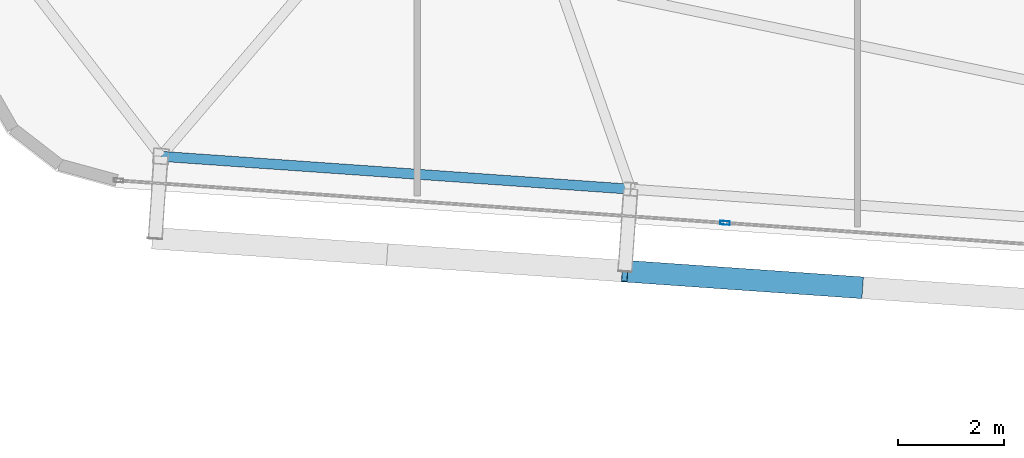
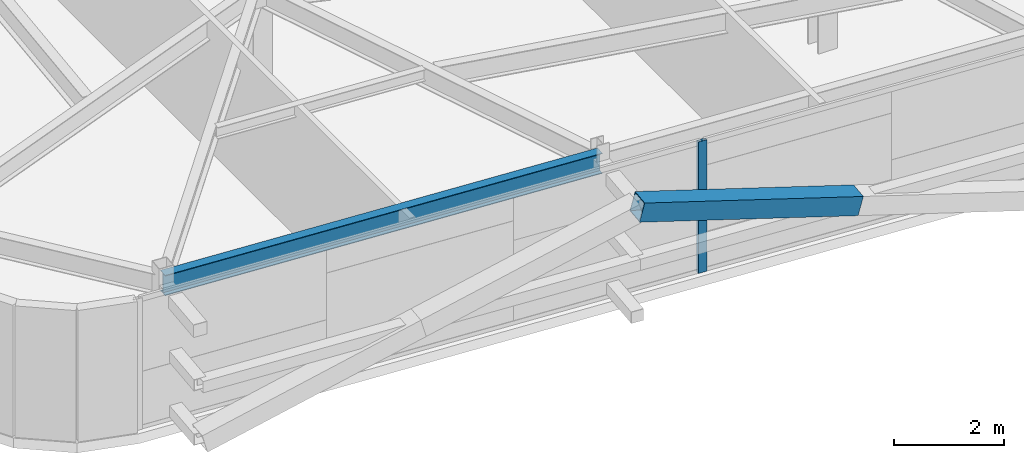
# One storey, part 7 of 39: 2 members, 1 beam, 1 element without a shape of its own.
"""IFC4 building model written with IfcOpenShell, lengths in metres."""

from ifc_helpers import new_model, si_unit, direction, frame, origin, origin_2d, place, context, subcontext, project, spatial, hollow_rectangle, i_section, extrude, source, transform, mapped, material, layer, layer_set, material_profile, profile_set, type_object, element, aggregate, save


model = new_model("IFC4")

# Units and contexts
model_context = context("Model", 3, precision=1e-05, world=origin(), true_north=direction((0.0, 1.0)))
body_context = subcontext(model_context, "Body", "Model", "MODEL_VIEW")
ifc_project = project(units=[si_unit("LENGTHUNIT", "METRE"), si_unit("AREAUNIT", "SQUARE_METRE"), si_unit("VOLUMEUNIT", "CUBIC_METRE"), si_unit("PLANEANGLEUNIT", "RADIAN"), si_unit("MASSUNIT", "GRAM", prefix="KILO")], contexts=[model_context])

# Site, building, storey
site_placement = place(None, origin())
site = spatial("IfcSite", under=ifc_project, at=site_placement, CompositionType="ELEMENT")
building_placement = place(site_placement, origin())
building = spatial("IfcBuilding", under=site, at=building_placement, Name="Taldren Reach Tower", CompositionType="ELEMENT")
storey_placement = place(building_placement, frame((0.0, 0.0, 145.60009765625)))
storey = spatial("IfcBuildingStorey", under=building, at=storey_placement, Name="L44", CompositionType="ELEMENT", Elevation=145.60009765625)

# Beam
ifc_material_1 = material(Name="Steel Gr 350 (350PLUS)", Category="steel")
ifc_material_profile_1 = material_profile(ifc_material_1, i_section(OverallWidth=0.18994140625, OverallDepth=0.4541015625, WebThickness=0.008544921875, FlangeThickness=0.0126953125, at=origin_2d()), Name="460UB67.1")
ifc_profile_set_1 = profile_set([ifc_material_profile_1], Name="Steel Gr 350 (350PLUS)")
beam_type = type_object("IfcBeamType", Name="SP-UB460B", PredefinedType="SPANDREL", material=ifc_profile_set_1)
shared_shape_1 = source(origin(), body_context, "Body", "SweptSolid", [
    extrude(i_section(OverallWidth=0.18994140625, OverallDepth=0.4541015625, WebThickness=0.008544921875, FlangeThickness=0.0126953125, at=origin_2d()), origin(), (0.0, 0.0, 1.0), 8.880126953125),
])
beam_placement = place(storey_placement, frame((11.863525390625, 5.33837890625, 2.702880859375), z_axis=(0.997564479639, -0.069750333063, 0.0), x_axis=(0.069750333063, 0.997564479639, 0.0)))
element("IfcBeam", 1, at=beam_placement, inside=storey, type_object=beam_type, Name="Perimeter spandrel B3 S1-S2 L44", PredefinedType="SPANDREL", context=body_context, shape_type="MappedRepresentation", body=[
    mapped(shared_shape_1, transform((0.0, 0.0, 0.0), scale=1.0)),
])

# Member
ifc_material_2 = material(Name="Steel Gr 450 (C450L0)", Category="steel")
ifc_material_profile_2 = material_profile(ifc_material_2, hollow_rectangle(XDim=0.409912109375, YDim=0.409912109375, WallThickness=0.01611328125, at=origin_2d()), Name="410x410x16.0SHS")
ifc_profile_set_2 = profile_set([ifc_material_profile_2], Name="Steel Gr 450 (C450L0)")
member_type_1 = type_object("IfcMemberType", Name="MB-EXO406", PredefinedType="BRACE", material=ifc_profile_set_2)
shared_shape_2 = source(origin(), body_context, "Body", "SweptSolid", [
    extrude(hollow_rectangle(XDim=0.409912109375, YDim=0.409912109375, WallThickness=0.01611328125, at=origin_2d()), origin(), (0.0, 0.0, 1.0), 4.603271484375),
])
member_1_placement = place(storey_placement, frame((25.04296875, 2.863037109375, 1.434814453125), z_axis=(-0.962182351074, 0.067302910567, 0.263961060594), x_axis=(-0.06977769246, -0.997562566276, 0.0)))
element("IfcMember", 2, at=member_1_placement, inside=storey, type_object=member_type_1, Name="Exoskeleton Diagrid Brace B3-S2 L44", PredefinedType="BRACE", context=body_context, shape_type="MappedRepresentation", body=[
    mapped(shared_shape_2, transform((0.0, 0.0, 0.0), scale=1.0)),
])

# Curtain wall, member
ifc_material_3 = material(Name="Aluminium and Low-E Glass Unitised System", Category="aluminium")
ifc_layer = layer(ifc_material_3, 0.159912109375)
ifc_layer_set = layer_set([ifc_layer], Name="Aluminium and Low-E Glass Unitised System")
curtain_wall_type = type_object("IfcCurtainWallType", Name="CW-SYS-4", PredefinedType="NOTDEFINED", material=ifc_layer_set)
curtain_wall_placement = place(storey_placement, origin())
curtain_wall = element("IfcCurtainWall", 3, at=curtain_wall_placement, inside=storey, type_object=curtain_wall_type, Name="Unitised curtain wall CW-L44-S", PredefinedType="NOTDEFINED")
ifc_material_4 = material(Name="Anodised Aluminium 6063-T6", Category="aluminium")
ifc_material_profile_3 = material_profile(ifc_material_4, hollow_rectangle(XDim=0.070068359375, YDim=0.179931640625, WallThickness=0.00390625, at=origin_2d()), Name="ALU-180x70x4RHS")
ifc_profile_set_3 = profile_set([ifc_material_profile_3], Name="Anodised Aluminium 6063-T6")
member_type_2 = type_object("IfcMemberType", Name="CW-MUL-180", PredefinedType="MULLION", material=ifc_profile_set_3)
shared_shape_3 = source(origin(), body_context, "Body", "SweptSolid", [
    extrude(hollow_rectangle(XDim=0.070068359375, YDim=0.179931640625, WallThickness=0.00390625, at=origin_2d()), origin(), (0.0, 0.0, 1.0), 2.929931640625),
])
member_2_placement = place(storey_placement, frame((22.501953125, 4.083251953125, 0.0), z_axis=(0.0, 0.0, 1.0), x_axis=(0.06975651593, 0.99756404731, 0.0)))
member_2 = element("IfcMember", 4, at=member_2_placement, type_object=member_type_2, Name="CW-4 mullion 2", PredefinedType="MULLION", context=body_context, shape_type="MappedRepresentation", body=[
    mapped(shared_shape_3, transform((0.0, 0.0, 0.0), scale=1.0)),
])
aggregate(curtain_wall, [member_2])

save(model, "model.ifc")
